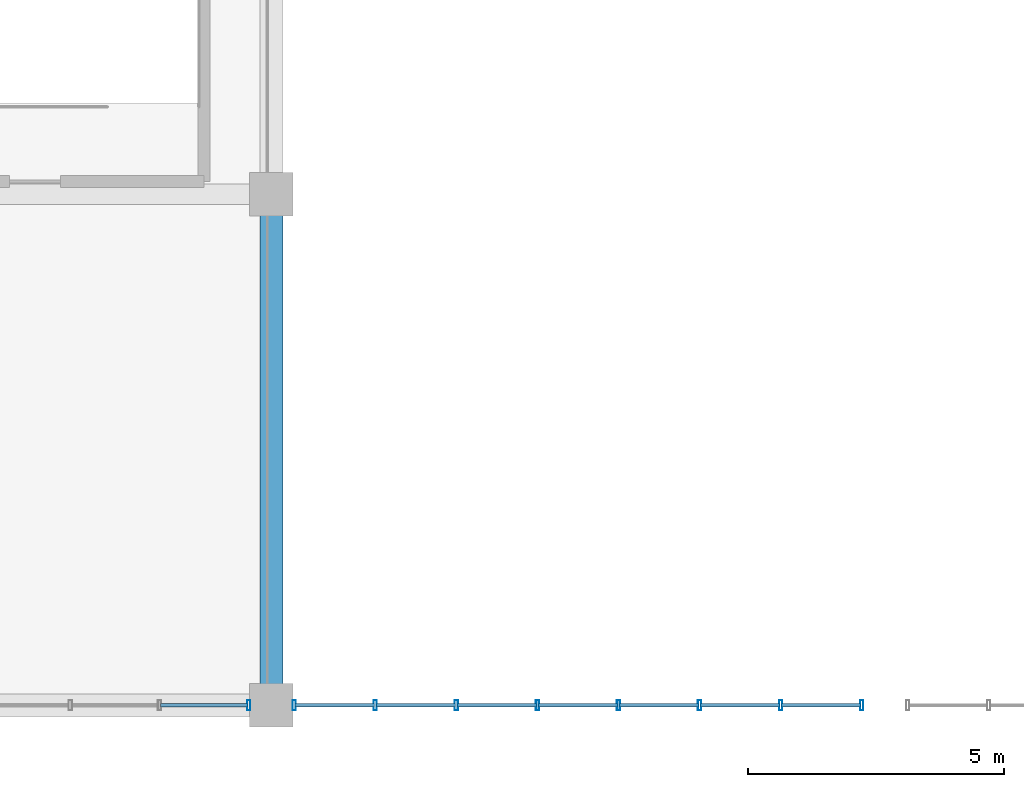
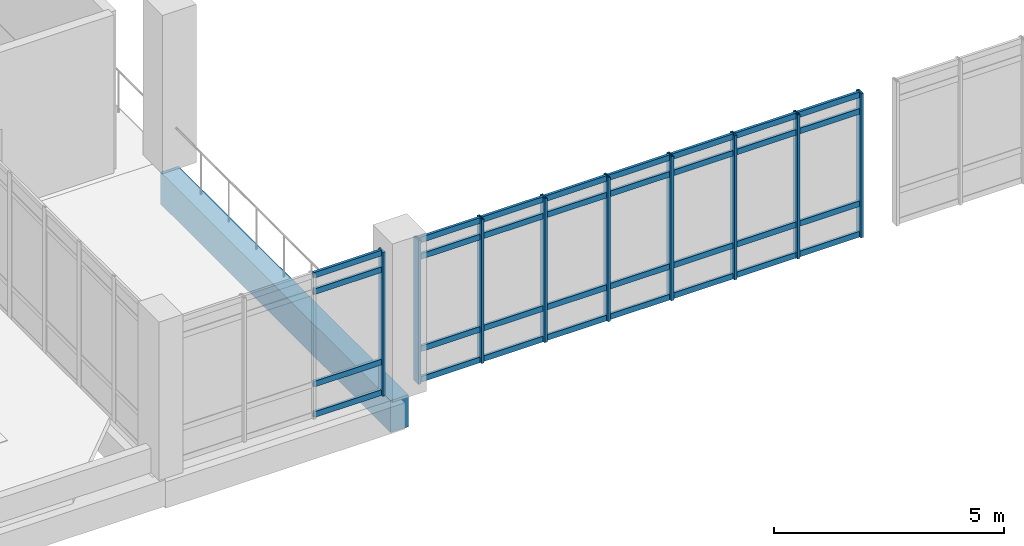
# One storey, part 97 of 161: 41 members, 1 beam, 2 elements without a shape of their own.
"""IFC4 building model written with IfcOpenShell, lengths in metres."""

from ifc_helpers import new_model, si_unit, direction, frame, origin, origin_2d, place, context, subcontext, project, spatial, rectangle, hollow_rectangle, extrude, material, layer, layer_set, material_profile, profile_set, type_object, element, aggregate, save


model = new_model("IFC4")

# Units and contexts
model_context = context("Model", 3, precision=1e-05, world=origin(), true_north=direction((0.0, 1.0)))
body_context = subcontext(model_context, "Body", "Model", "MODEL_VIEW")
ifc_project = project(units=[si_unit("LENGTHUNIT", "METRE"), si_unit("AREAUNIT", "SQUARE_METRE"), si_unit("VOLUMEUNIT", "CUBIC_METRE"), si_unit("PLANEANGLEUNIT", "RADIAN"), si_unit("MASSUNIT", "GRAM", prefix="KILO")], contexts=[model_context])

# Site, building, storey
site_placement = place(None, origin())
site = spatial("IfcSite", under=ifc_project, at=site_placement, CompositionType="ELEMENT")
building_placement = place(site_placement, origin())
building = spatial("IfcBuilding", under=site, at=building_placement, Name="Mersad Railyard Sports Hall", CompositionType="ELEMENT")
storey_placement = place(building_placement, frame((0.0, 0.0, 4.800048828125)))
storey = spatial("IfcBuildingStorey", under=building, at=storey_placement, Name="L01", CompositionType="ELEMENT", Elevation=4.800048828125)

# Curtain wall, member
ifc_material_1 = material(Name="Aluminium 6063-T6", Category="aluminium")
ifc_layer_1 = layer(ifc_material_1, 0.199951171875)
ifc_layer_set_1 = layer_set([ifc_layer_1], Name="Aluminium 6063-T6")
curtain_wall_type_1 = type_object("IfcCurtainWallType", Name="ARC-CW-CW09", PredefinedType="USERDEFINED", material=ifc_layer_set_1)
curtain_wall_1_placement = place(storey_placement, origin())
curtain_wall_1 = element("IfcCurtainWall", 1, at=curtain_wall_1_placement, inside=storey, type_object=curtain_wall_type_1, Name="Curtain wall CW09-0036", ObjectType="CURTAIN WALL", PredefinedType="USERDEFINED")
ifc_material_profile_1 = material_profile(ifc_material_1, hollow_rectangle(XDim=0.06494140625, YDim=0.199951171875, WallThickness=0.0048828125, at=origin_2d()), Name="AL MULLION 65x200x5")
ifc_profile_set_1 = profile_set([ifc_material_profile_1], Name="Aluminium 6063-T6")
member_type_1 = type_object("IfcMemberType", Name="ARC-CW-MUL02", PredefinedType="MULLION", material=ifc_profile_set_1)
member_1_placement = place(storey_placement, frame((136.554931640625, 3.5, -0.02001953125), z_axis=(0.0, 0.0, 1.0), x_axis=(1.0, 0.0, 0.0)))
member_1 = element("IfcMember", 2, at=member_1_placement, type_object=member_type_1, Name="CW09 Mullion 1", PredefinedType="MULLION", context=body_context, shape_type="SweptSolid", body=[
    extrude(hollow_rectangle(XDim=0.06494140625, YDim=0.199951171875, WallThickness=0.0048828125, at=origin_2d()), origin(), (0.0, 0.0, 1.0), 3.820068359375),
])

# Curtain wall, members
ifc_layer_2 = layer(ifc_material_1, 0.199951171875)
ifc_layer_set_2 = layer_set([ifc_layer_2], Name="Aluminium 6063-T6")
curtain_wall_type_2 = type_object("IfcCurtainWallType", Name="ARC-CW-CW10", PredefinedType="USERDEFINED", material=ifc_layer_set_2)
curtain_wall_2_placement = place(storey_placement, origin())
curtain_wall_2 = element("IfcCurtainWall", 3, at=curtain_wall_2_placement, inside=storey, type_object=curtain_wall_type_2, Name="Curtain wall CW10-0037", ObjectType="CURTAIN WALL", PredefinedType="USERDEFINED")
member_2_placement = place(storey_placement, frame((148.550048828125, 3.5, -0.02001953125), z_axis=(0.0, 0.0, 1.0), x_axis=(1.0, 0.0, 0.0)))
member_2 = element("IfcMember", 4, at=member_2_placement, type_object=member_type_1, Name="CW10 Mullion 1", PredefinedType="MULLION", context=body_context, shape_type="SweptSolid", body=[
    extrude(hollow_rectangle(XDim=0.06494140625, YDim=0.199951171875, WallThickness=0.0048828125, at=origin_2d()), origin(), (0.0, 0.0, 1.0), 3.820068359375),
])
member_3_placement = place(storey_placement, frame((146.963623046875, 3.5, -0.02001953125), z_axis=(0.0, 0.0, 1.0), x_axis=(1.0, 0.0, 0.0)))
member_3 = element("IfcMember", 5, at=member_3_placement, type_object=member_type_1, Name="CW10 Mullion 2", PredefinedType="MULLION", context=body_context, shape_type="SweptSolid", body=[
    extrude(hollow_rectangle(XDim=0.06494140625, YDim=0.199951171875, WallThickness=0.0048828125, at=origin_2d()), origin(), (0.0, 0.0, 1.0), 3.820068359375),
])
member_4_placement = place(storey_placement, frame((145.377197265625, 3.5, -0.02001953125), z_axis=(0.0, 0.0, 1.0), x_axis=(1.0, 0.0, 0.0)))
member_4 = element("IfcMember", 6, at=member_4_placement, type_object=member_type_1, Name="CW10 Mullion 3", PredefinedType="MULLION", context=body_context, shape_type="SweptSolid", body=[
    extrude(hollow_rectangle(XDim=0.06494140625, YDim=0.199951171875, WallThickness=0.0048828125, at=origin_2d()), origin(), (0.0, 0.0, 1.0), 3.820068359375),
])
member_5_placement = place(storey_placement, frame((143.790771484375, 3.5, -0.02001953125), z_axis=(0.0, 0.0, 1.0), x_axis=(1.0, 0.0, 0.0)))
member_5 = element("IfcMember", 7, at=member_5_placement, type_object=member_type_1, Name="CW10 Mullion 4", PredefinedType="MULLION", context=body_context, shape_type="SweptSolid", body=[
    extrude(hollow_rectangle(XDim=0.06494140625, YDim=0.199951171875, WallThickness=0.0048828125, at=origin_2d()), origin(), (0.0, 0.0, 1.0), 3.820068359375),
])
member_6_placement = place(storey_placement, frame((142.204345703125, 3.5, -0.02001953125), z_axis=(0.0, 0.0, 1.0), x_axis=(1.0, 0.0, 0.0)))
member_6 = element("IfcMember", 8, at=member_6_placement, type_object=member_type_1, Name="CW10 Mullion 5", PredefinedType="MULLION", context=body_context, shape_type="SweptSolid", body=[
    extrude(hollow_rectangle(XDim=0.06494140625, YDim=0.199951171875, WallThickness=0.0048828125, at=origin_2d()), origin(), (0.0, 0.0, 1.0), 3.820068359375),
])
member_7_placement = place(storey_placement, frame((140.617919921875, 3.5, -0.02001953125), z_axis=(0.0, 0.0, 1.0), x_axis=(1.0, 0.0, 0.0)))
member_7 = element("IfcMember", 9, at=member_7_placement, type_object=member_type_1, Name="CW10 Mullion 6", PredefinedType="MULLION", context=body_context, shape_type="SweptSolid", body=[
    extrude(hollow_rectangle(XDim=0.06494140625, YDim=0.199951171875, WallThickness=0.0048828125, at=origin_2d()), origin(), (0.0, 0.0, 1.0), 3.820068359375),
])
member_8_placement = place(storey_placement, frame((139.031494140625, 3.5, -0.02001953125), z_axis=(0.0, 0.0, 1.0), x_axis=(1.0, 0.0, 0.0)))
member_8 = element("IfcMember", 10, at=member_8_placement, type_object=member_type_1, Name="CW10 Mullion 7", PredefinedType="MULLION", context=body_context, shape_type="SweptSolid", body=[
    extrude(hollow_rectangle(XDim=0.06494140625, YDim=0.199951171875, WallThickness=0.0048828125, at=origin_2d()), origin(), (0.0, 0.0, 1.0), 3.820068359375),
])
member_9_placement = place(storey_placement, frame((137.445068359375, 3.5, -0.02001953125), z_axis=(0.0, 0.0, 1.0), x_axis=(1.0, 0.0, 0.0)))
member_9 = element("IfcMember", 11, at=member_9_placement, type_object=member_type_1, Name="CW10 Mullion 8", PredefinedType="MULLION", context=body_context, shape_type="SweptSolid", body=[
    extrude(hollow_rectangle(XDim=0.06494140625, YDim=0.199951171875, WallThickness=0.0048828125, at=origin_2d()), origin(), (0.0, 0.0, 1.0), 3.820068359375),
])

# Member
ifc_material_profile_2 = material_profile(ifc_material_1, hollow_rectangle(XDim=0.06494140625, YDim=0.14990234375, WallThickness=0.00439453125, at=origin_2d()), Name="AL TRANSOM 65x150x4.5")
ifc_profile_set_2 = profile_set([ifc_material_profile_2], Name="Aluminium 6063-T6")
member_type_2 = type_object("IfcMemberType", Name="ARC-CW-TRN02", PredefinedType="USERDEFINED", material=ifc_profile_set_2)
member_10_placement = place(storey_placement, frame((136.534912109375, 3.5, 0.0400390625), z_axis=(-1.0, 0.0, 0.0), x_axis=(0.0, -1.0, 0.0)))
member_10 = element("IfcMember", 12, at=member_10_placement, type_object=member_type_2, Name="CW09 Transom 1-1", ObjectType="TRANSOM", PredefinedType="USERDEFINED", context=body_context, shape_type="SweptSolid", body=[
    extrude(hollow_rectangle(XDim=0.06494140625, YDim=0.14990234375, WallThickness=0.00439453125, at=origin_2d()), origin(), (0.0, 0.0, 1.0), 1.704833984375),
])

member_11_placement = place(storey_placement, frame((136.534912109375, 3.5, 0.849853515625), z_axis=(-1.0, 0.0, 0.0), x_axis=(0.0, -1.0, 0.0)))
member_11 = element("IfcMember", 13, at=member_11_placement, type_object=member_type_2, Name="CW09 Transom 2-1", ObjectType="TRANSOM", PredefinedType="USERDEFINED", context=body_context, shape_type="SweptSolid", body=[
    extrude(hollow_rectangle(XDim=0.06494140625, YDim=0.14990234375, WallThickness=0.00439453125, at=origin_2d()), origin(), (0.0, 0.0, 1.0), 1.704833984375),
])

member_12_placement = place(storey_placement, frame((136.534912109375, 3.5, 3.300048828125), z_axis=(-1.0, 0.0, 0.0), x_axis=(0.0, -1.0, 0.0)))
member_12 = element("IfcMember", 14, at=member_12_placement, type_object=member_type_2, Name="CW09 Transom 3-1", ObjectType="TRANSOM", PredefinedType="USERDEFINED", context=body_context, shape_type="SweptSolid", body=[
    extrude(hollow_rectangle(XDim=0.06494140625, YDim=0.14990234375, WallThickness=0.00439453125, at=origin_2d()), origin(), (0.0, 0.0, 1.0), 1.704833984375),
])

member_13_placement = place(storey_placement, frame((136.534912109375, 3.5, 3.739990234375), z_axis=(-1.0, 0.0, 0.0), x_axis=(0.0, -1.0, 0.0)))
member_13 = element("IfcMember", 15, at=member_13_placement, type_object=member_type_2, Name="CW09 Transom 4-1", ObjectType="TRANSOM", PredefinedType="USERDEFINED", context=body_context, shape_type="SweptSolid", body=[
    extrude(hollow_rectangle(XDim=0.06494140625, YDim=0.14990234375, WallThickness=0.00439453125, at=origin_2d()), origin(), (0.0, 0.0, 1.0), 1.704833984375),
])

aggregate(curtain_wall_1, [member_1, member_10, member_11, member_12, member_13])

member_14_placement = place(storey_placement, frame((148.530029296875, 3.5, 0.0400390625), z_axis=(-1.0, 0.0, 0.0), x_axis=(0.0, -1.0, 0.0)))
member_14 = element("IfcMember", 16, at=member_14_placement, type_object=member_type_2, Name="CW10 Transom 1-1", ObjectType="TRANSOM", PredefinedType="USERDEFINED", context=body_context, shape_type="SweptSolid", body=[
    extrude(hollow_rectangle(XDim=0.06494140625, YDim=0.14990234375, WallThickness=0.00439453125, at=origin_2d()), origin(), (0.0, 0.0, 1.0), 1.54638671875),
])

member_15_placement = place(storey_placement, frame((146.943603515625, 3.5, 0.0400390625), z_axis=(-1.0, 0.0, 0.0), x_axis=(0.0, -1.0, 0.0)))
member_15 = element("IfcMember", 17, at=member_15_placement, type_object=member_type_2, Name="CW10 Transom 1-2", ObjectType="TRANSOM", PredefinedType="USERDEFINED", context=body_context, shape_type="SweptSolid", body=[
    extrude(hollow_rectangle(XDim=0.06494140625, YDim=0.14990234375, WallThickness=0.00439453125, at=origin_2d()), origin(), (0.0, 0.0, 1.0), 1.54638671875),
])

member_16_placement = place(storey_placement, frame((145.357177734375, 3.5, 0.0400390625), z_axis=(-1.0, 0.0, 0.0), x_axis=(0.0, -1.0, 0.0)))
member_16 = element("IfcMember", 18, at=member_16_placement, type_object=member_type_2, Name="CW10 Transom 1-3", ObjectType="TRANSOM", PredefinedType="USERDEFINED", context=body_context, shape_type="SweptSolid", body=[
    extrude(hollow_rectangle(XDim=0.06494140625, YDim=0.14990234375, WallThickness=0.00439453125, at=origin_2d()), origin(), (0.0, 0.0, 1.0), 1.54638671875),
])

member_17_placement = place(storey_placement, frame((143.770751953125, 3.5, 0.0400390625), z_axis=(-1.0, 0.0, 0.0), x_axis=(0.0, -1.0, 0.0)))
member_17 = element("IfcMember", 19, at=member_17_placement, type_object=member_type_2, Name="CW10 Transom 1-4", ObjectType="TRANSOM", PredefinedType="USERDEFINED", context=body_context, shape_type="SweptSolid", body=[
    extrude(hollow_rectangle(XDim=0.06494140625, YDim=0.14990234375, WallThickness=0.00439453125, at=origin_2d()), origin(), (0.0, 0.0, 1.0), 1.54638671875),
])

member_18_placement = place(storey_placement, frame((142.184326171875, 3.5, 0.0400390625), z_axis=(-1.0, 0.0, 0.0), x_axis=(0.0, -1.0, 0.0)))
member_18 = element("IfcMember", 20, at=member_18_placement, type_object=member_type_2, Name="CW10 Transom 1-5", ObjectType="TRANSOM", PredefinedType="USERDEFINED", context=body_context, shape_type="SweptSolid", body=[
    extrude(hollow_rectangle(XDim=0.06494140625, YDim=0.14990234375, WallThickness=0.00439453125, at=origin_2d()), origin(), (0.0, 0.0, 1.0), 1.54638671875),
])

member_19_placement = place(storey_placement, frame((140.597900390625, 3.5, 0.0400390625), z_axis=(-1.0, 0.0, 0.0), x_axis=(0.0, -1.0, 0.0)))
member_19 = element("IfcMember", 21, at=member_19_placement, type_object=member_type_2, Name="CW10 Transom 1-6", ObjectType="TRANSOM", PredefinedType="USERDEFINED", context=body_context, shape_type="SweptSolid", body=[
    extrude(hollow_rectangle(XDim=0.06494140625, YDim=0.14990234375, WallThickness=0.00439453125, at=origin_2d()), origin(), (0.0, 0.0, 1.0), 1.54638671875),
])

member_20_placement = place(storey_placement, frame((139.011474609375, 3.5, 0.0400390625), z_axis=(-1.0, 0.0, 0.0), x_axis=(0.0, -1.0, 0.0)))
member_20 = element("IfcMember", 22, at=member_20_placement, type_object=member_type_2, Name="CW10 Transom 1-7", ObjectType="TRANSOM", PredefinedType="USERDEFINED", context=body_context, shape_type="SweptSolid", body=[
    extrude(hollow_rectangle(XDim=0.06494140625, YDim=0.14990234375, WallThickness=0.00439453125, at=origin_2d()), origin(), (0.0, 0.0, 1.0), 1.54638671875),
])

member_21_placement = place(storey_placement, frame((148.530029296875, 3.5, 0.849853515625), z_axis=(-1.0, 0.0, 0.0), x_axis=(0.0, -1.0, 0.0)))
member_21 = element("IfcMember", 23, at=member_21_placement, type_object=member_type_2, Name="CW10 Transom 2-1", ObjectType="TRANSOM", PredefinedType="USERDEFINED", context=body_context, shape_type="SweptSolid", body=[
    extrude(hollow_rectangle(XDim=0.06494140625, YDim=0.14990234375, WallThickness=0.00439453125, at=origin_2d()), origin(), (0.0, 0.0, 1.0), 1.54638671875),
])

member_22_placement = place(storey_placement, frame((146.943603515625, 3.5, 0.849853515625), z_axis=(-1.0, 0.0, 0.0), x_axis=(0.0, -1.0, 0.0)))
member_22 = element("IfcMember", 24, at=member_22_placement, type_object=member_type_2, Name="CW10 Transom 2-2", ObjectType="TRANSOM", PredefinedType="USERDEFINED", context=body_context, shape_type="SweptSolid", body=[
    extrude(hollow_rectangle(XDim=0.06494140625, YDim=0.14990234375, WallThickness=0.00439453125, at=origin_2d()), origin(), (0.0, 0.0, 1.0), 1.54638671875),
])

member_23_placement = place(storey_placement, frame((145.357177734375, 3.5, 0.849853515625), z_axis=(-1.0, 0.0, 0.0), x_axis=(0.0, -1.0, 0.0)))
member_23 = element("IfcMember", 25, at=member_23_placement, type_object=member_type_2, Name="CW10 Transom 2-3", ObjectType="TRANSOM", PredefinedType="USERDEFINED", context=body_context, shape_type="SweptSolid", body=[
    extrude(hollow_rectangle(XDim=0.06494140625, YDim=0.14990234375, WallThickness=0.00439453125, at=origin_2d()), origin(), (0.0, 0.0, 1.0), 1.54638671875),
])

member_24_placement = place(storey_placement, frame((143.770751953125, 3.5, 0.849853515625), z_axis=(-1.0, 0.0, 0.0), x_axis=(0.0, -1.0, 0.0)))
member_24 = element("IfcMember", 26, at=member_24_placement, type_object=member_type_2, Name="CW10 Transom 2-4", ObjectType="TRANSOM", PredefinedType="USERDEFINED", context=body_context, shape_type="SweptSolid", body=[
    extrude(hollow_rectangle(XDim=0.06494140625, YDim=0.14990234375, WallThickness=0.00439453125, at=origin_2d()), origin(), (0.0, 0.0, 1.0), 1.54638671875),
])

member_25_placement = place(storey_placement, frame((142.184326171875, 3.5, 0.849853515625), z_axis=(-1.0, 0.0, 0.0), x_axis=(0.0, -1.0, 0.0)))
member_25 = element("IfcMember", 27, at=member_25_placement, type_object=member_type_2, Name="CW10 Transom 2-5", ObjectType="TRANSOM", PredefinedType="USERDEFINED", context=body_context, shape_type="SweptSolid", body=[
    extrude(hollow_rectangle(XDim=0.06494140625, YDim=0.14990234375, WallThickness=0.00439453125, at=origin_2d()), origin(), (0.0, 0.0, 1.0), 1.54638671875),
])

member_26_placement = place(storey_placement, frame((140.597900390625, 3.5, 0.849853515625), z_axis=(-1.0, 0.0, 0.0), x_axis=(0.0, -1.0, 0.0)))
member_26 = element("IfcMember", 28, at=member_26_placement, type_object=member_type_2, Name="CW10 Transom 2-6", ObjectType="TRANSOM", PredefinedType="USERDEFINED", context=body_context, shape_type="SweptSolid", body=[
    extrude(hollow_rectangle(XDim=0.06494140625, YDim=0.14990234375, WallThickness=0.00439453125, at=origin_2d()), origin(), (0.0, 0.0, 1.0), 1.54638671875),
])

member_27_placement = place(storey_placement, frame((139.011474609375, 3.5, 0.849853515625), z_axis=(-1.0, 0.0, 0.0), x_axis=(0.0, -1.0, 0.0)))
member_27 = element("IfcMember", 29, at=member_27_placement, type_object=member_type_2, Name="CW10 Transom 2-7", ObjectType="TRANSOM", PredefinedType="USERDEFINED", context=body_context, shape_type="SweptSolid", body=[
    extrude(hollow_rectangle(XDim=0.06494140625, YDim=0.14990234375, WallThickness=0.00439453125, at=origin_2d()), origin(), (0.0, 0.0, 1.0), 1.54638671875),
])

member_28_placement = place(storey_placement, frame((148.530029296875, 3.5, 3.300048828125), z_axis=(-1.0, 0.0, 0.0), x_axis=(0.0, -1.0, 0.0)))
member_28 = element("IfcMember", 30, at=member_28_placement, type_object=member_type_2, Name="CW10 Transom 3-1", ObjectType="TRANSOM", PredefinedType="USERDEFINED", context=body_context, shape_type="SweptSolid", body=[
    extrude(hollow_rectangle(XDim=0.06494140625, YDim=0.14990234375, WallThickness=0.00439453125, at=origin_2d()), origin(), (0.0, 0.0, 1.0), 1.54638671875),
])

member_29_placement = place(storey_placement, frame((146.943603515625, 3.5, 3.300048828125), z_axis=(-1.0, 0.0, 0.0), x_axis=(0.0, -1.0, 0.0)))
member_29 = element("IfcMember", 31, at=member_29_placement, type_object=member_type_2, Name="CW10 Transom 3-2", ObjectType="TRANSOM", PredefinedType="USERDEFINED", context=body_context, shape_type="SweptSolid", body=[
    extrude(hollow_rectangle(XDim=0.06494140625, YDim=0.14990234375, WallThickness=0.00439453125, at=origin_2d()), origin(), (0.0, 0.0, 1.0), 1.54638671875),
])

member_30_placement = place(storey_placement, frame((145.357177734375, 3.5, 3.300048828125), z_axis=(-1.0, 0.0, 0.0), x_axis=(0.0, -1.0, 0.0)))
member_30 = element("IfcMember", 32, at=member_30_placement, type_object=member_type_2, Name="CW10 Transom 3-3", ObjectType="TRANSOM", PredefinedType="USERDEFINED", context=body_context, shape_type="SweptSolid", body=[
    extrude(hollow_rectangle(XDim=0.06494140625, YDim=0.14990234375, WallThickness=0.00439453125, at=origin_2d()), origin(), (0.0, 0.0, 1.0), 1.54638671875),
])

member_31_placement = place(storey_placement, frame((143.770751953125, 3.5, 3.300048828125), z_axis=(-1.0, 0.0, 0.0), x_axis=(0.0, -1.0, 0.0)))
member_31 = element("IfcMember", 33, at=member_31_placement, type_object=member_type_2, Name="CW10 Transom 3-4", ObjectType="TRANSOM", PredefinedType="USERDEFINED", context=body_context, shape_type="SweptSolid", body=[
    extrude(hollow_rectangle(XDim=0.06494140625, YDim=0.14990234375, WallThickness=0.00439453125, at=origin_2d()), origin(), (0.0, 0.0, 1.0), 1.54638671875),
])

member_32_placement = place(storey_placement, frame((142.184326171875, 3.5, 3.300048828125), z_axis=(-1.0, 0.0, 0.0), x_axis=(0.0, -1.0, 0.0)))
member_32 = element("IfcMember", 34, at=member_32_placement, type_object=member_type_2, Name="CW10 Transom 3-5", ObjectType="TRANSOM", PredefinedType="USERDEFINED", context=body_context, shape_type="SweptSolid", body=[
    extrude(hollow_rectangle(XDim=0.06494140625, YDim=0.14990234375, WallThickness=0.00439453125, at=origin_2d()), origin(), (0.0, 0.0, 1.0), 1.54638671875),
])

member_33_placement = place(storey_placement, frame((140.597900390625, 3.5, 3.300048828125), z_axis=(-1.0, 0.0, 0.0), x_axis=(0.0, -1.0, 0.0)))
member_33 = element("IfcMember", 35, at=member_33_placement, type_object=member_type_2, Name="CW10 Transom 3-6", ObjectType="TRANSOM", PredefinedType="USERDEFINED", context=body_context, shape_type="SweptSolid", body=[
    extrude(hollow_rectangle(XDim=0.06494140625, YDim=0.14990234375, WallThickness=0.00439453125, at=origin_2d()), origin(), (0.0, 0.0, 1.0), 1.54638671875),
])

member_34_placement = place(storey_placement, frame((139.011474609375, 3.5, 3.300048828125), z_axis=(-1.0, 0.0, 0.0), x_axis=(0.0, -1.0, 0.0)))
member_34 = element("IfcMember", 36, at=member_34_placement, type_object=member_type_2, Name="CW10 Transom 3-7", ObjectType="TRANSOM", PredefinedType="USERDEFINED", context=body_context, shape_type="SweptSolid", body=[
    extrude(hollow_rectangle(XDim=0.06494140625, YDim=0.14990234375, WallThickness=0.00439453125, at=origin_2d()), origin(), (0.0, 0.0, 1.0), 1.54638671875),
])

member_35_placement = place(storey_placement, frame((148.530029296875, 3.5, 3.739990234375), z_axis=(-1.0, 0.0, 0.0), x_axis=(0.0, -1.0, 0.0)))
member_35 = element("IfcMember", 37, at=member_35_placement, type_object=member_type_2, Name="CW10 Transom 4-1", ObjectType="TRANSOM", PredefinedType="USERDEFINED", context=body_context, shape_type="SweptSolid", body=[
    extrude(hollow_rectangle(XDim=0.06494140625, YDim=0.14990234375, WallThickness=0.00439453125, at=origin_2d()), origin(), (0.0, 0.0, 1.0), 1.54638671875),
])

member_36_placement = place(storey_placement, frame((146.943603515625, 3.5, 3.739990234375), z_axis=(-1.0, 0.0, 0.0), x_axis=(0.0, -1.0, 0.0)))
member_36 = element("IfcMember", 38, at=member_36_placement, type_object=member_type_2, Name="CW10 Transom 4-2", ObjectType="TRANSOM", PredefinedType="USERDEFINED", context=body_context, shape_type="SweptSolid", body=[
    extrude(hollow_rectangle(XDim=0.06494140625, YDim=0.14990234375, WallThickness=0.00439453125, at=origin_2d()), origin(), (0.0, 0.0, 1.0), 1.54638671875),
])

member_37_placement = place(storey_placement, frame((145.357177734375, 3.5, 3.739990234375), z_axis=(-1.0, 0.0, 0.0), x_axis=(0.0, -1.0, 0.0)))
member_37 = element("IfcMember", 39, at=member_37_placement, type_object=member_type_2, Name="CW10 Transom 4-3", ObjectType="TRANSOM", PredefinedType="USERDEFINED", context=body_context, shape_type="SweptSolid", body=[
    extrude(hollow_rectangle(XDim=0.06494140625, YDim=0.14990234375, WallThickness=0.00439453125, at=origin_2d()), origin(), (0.0, 0.0, 1.0), 1.54638671875),
])

member_38_placement = place(storey_placement, frame((143.770751953125, 3.5, 3.739990234375), z_axis=(-1.0, 0.0, 0.0), x_axis=(0.0, -1.0, 0.0)))
member_38 = element("IfcMember", 40, at=member_38_placement, type_object=member_type_2, Name="CW10 Transom 4-4", ObjectType="TRANSOM", PredefinedType="USERDEFINED", context=body_context, shape_type="SweptSolid", body=[
    extrude(hollow_rectangle(XDim=0.06494140625, YDim=0.14990234375, WallThickness=0.00439453125, at=origin_2d()), origin(), (0.0, 0.0, 1.0), 1.54638671875),
])

member_39_placement = place(storey_placement, frame((142.184326171875, 3.5, 3.739990234375), z_axis=(-1.0, 0.0, 0.0), x_axis=(0.0, -1.0, 0.0)))
member_39 = element("IfcMember", 41, at=member_39_placement, type_object=member_type_2, Name="CW10 Transom 4-5", ObjectType="TRANSOM", PredefinedType="USERDEFINED", context=body_context, shape_type="SweptSolid", body=[
    extrude(hollow_rectangle(XDim=0.06494140625, YDim=0.14990234375, WallThickness=0.00439453125, at=origin_2d()), origin(), (0.0, 0.0, 1.0), 1.54638671875),
])

member_40_placement = place(storey_placement, frame((140.597900390625, 3.5, 3.739990234375), z_axis=(-1.0, 0.0, 0.0), x_axis=(0.0, -1.0, 0.0)))
member_40 = element("IfcMember", 42, at=member_40_placement, type_object=member_type_2, Name="CW10 Transom 4-6", ObjectType="TRANSOM", PredefinedType="USERDEFINED", context=body_context, shape_type="SweptSolid", body=[
    extrude(hollow_rectangle(XDim=0.06494140625, YDim=0.14990234375, WallThickness=0.00439453125, at=origin_2d()), origin(), (0.0, 0.0, 1.0), 1.54638671875),
])

member_41_placement = place(storey_placement, frame((139.011474609375, 3.5, 3.739990234375), z_axis=(-1.0, 0.0, 0.0), x_axis=(0.0, -1.0, 0.0)))
member_41 = element("IfcMember", 43, at=member_41_placement, type_object=member_type_2, Name="CW10 Transom 4-7", ObjectType="TRANSOM", PredefinedType="USERDEFINED", context=body_context, shape_type="SweptSolid", body=[
    extrude(hollow_rectangle(XDim=0.06494140625, YDim=0.14990234375, WallThickness=0.00439453125, at=origin_2d()), origin(), (0.0, 0.0, 1.0), 1.54638671875),
])

aggregate(curtain_wall_2, [member_2, member_3, member_4, member_5, member_6, member_7, member_8, member_9, member_14, member_15, member_16, member_17, member_18, member_19, member_20, member_21, member_22, member_23, member_24, member_25, member_26, member_27, member_28, member_29, member_30, member_31, member_32, member_33, member_34, member_35, member_36, member_37, member_38, member_39, member_40, member_41])

# Beam
ifc_material_2 = material(Name="Concrete C40/50", Category="concrete")
ifc_material_profile_3 = material_profile(ifc_material_2, rectangle(XDim=0.449951171875, YDim=0.85009765625, at=origin_2d()), Name="RC 450x850")
ifc_profile_set_3 = profile_set([ifc_material_profile_3], Name="Concrete C40/50")
beam_type = type_object("IfcBeamType", Name="STR-BM-B02", PredefinedType="BEAM", material=ifc_profile_set_3)
beam_placement = place(storey_placement, frame((137.0, 3.5, -0.705078125), z_axis=(0.0, 1.0, 0.0), x_axis=(-1.0, 0.0, 0.0)))
element("IfcBeam", 44, at=beam_placement, inside=storey, type_object=beam_type, Name="Beam B02-0635", PredefinedType="BEAM", context=body_context, shape_type="SweptSolid", body=[
    extrude(rectangle(XDim=0.449951171875, YDim=0.85009765625, at=origin_2d()), origin(), (0.0, 0.0, 1.0), 10.0),
])

save(model, "model.ifc")
